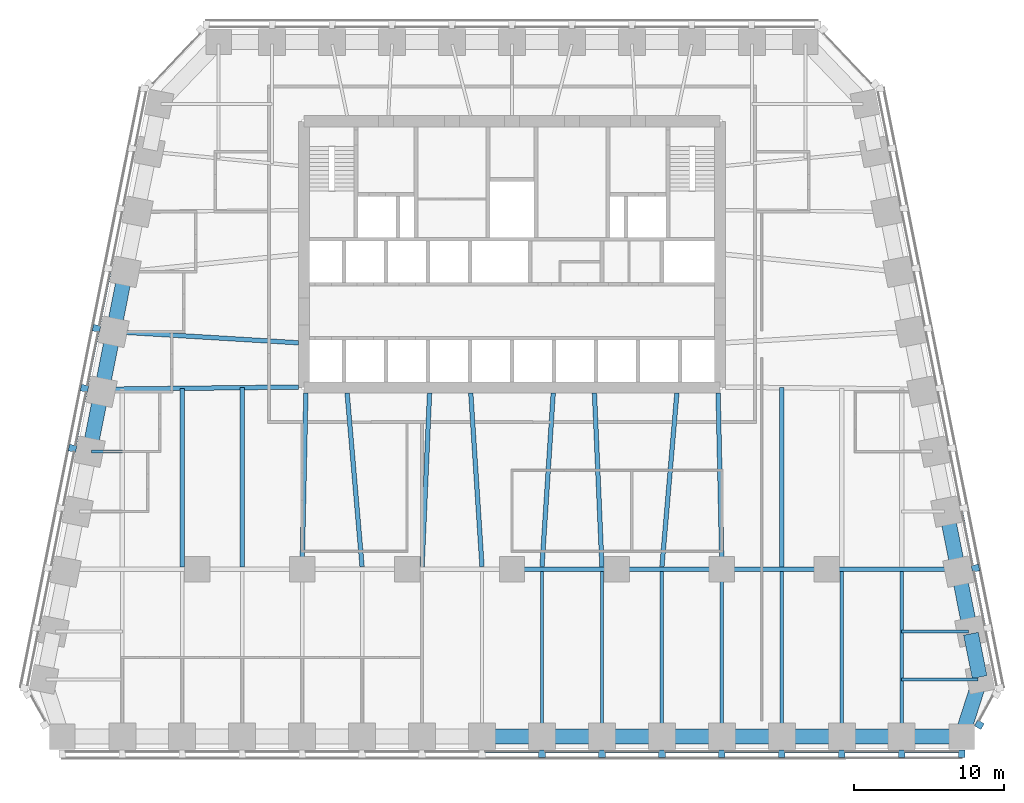
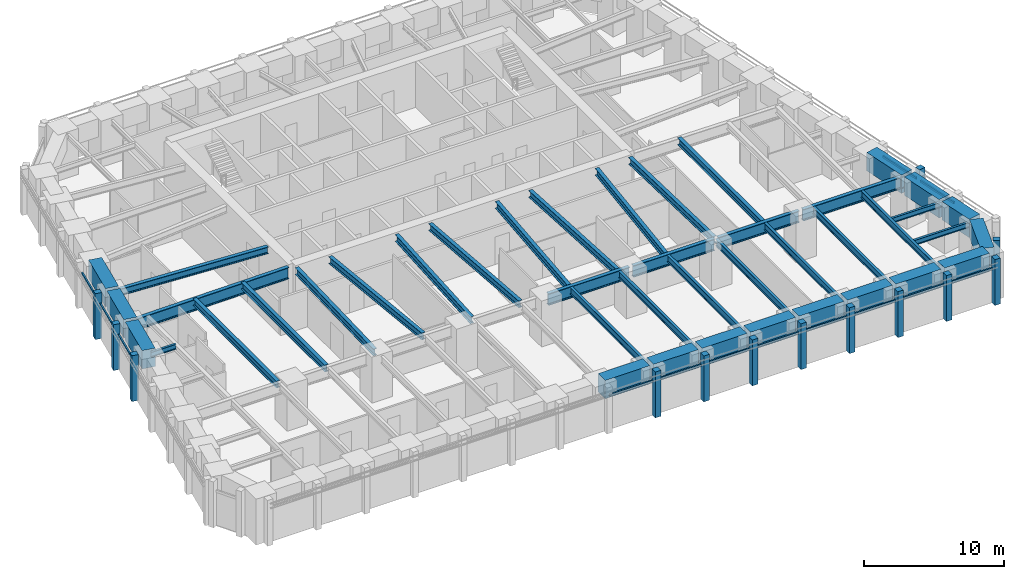
# One storey, part 2 of 10: 42 beams, 26 members, 4 elements without a shape of their own.
"""IFC4 building model written with IfcOpenShell, lengths in metres."""

import ifcopenshell
import ifcopenshell.guid

model = None  # the IFC model being written
_history = None  # IfcOwnerHistory: only IFC2X3 demands one
_inside = {}  # id of a spatial element -> (the spatial element, [elements in it])
_under = {}  # id of a project, library or spatial element -> (it, [spatial elements below it])
_declared = {}  # id of a project -> (the project, [libraries it declares])
_typed = {}  # id of a type object -> (the type object, [elements of that type])
_made_of = {}  # id of a material, layer set ... -> (it, [elements and type objects made of it])


def new_model(schema):
    """Start an empty IFC model of exactly this schema.

    Asked for "IFC4X3", IfcOpenShell would pick the latest addendum, in which some entities
    have other attributes; the version numbers below select the first issue.
    IFC2X3 requires an IfcOwnerHistory on every rooted entity: one is made here for all.
    """
    global model, _history
    if schema == "IFC4X3":
        model = ifcopenshell.file(schema_version=(4, 3, 0, 0))
    else:
        model = ifcopenshell.file(schema=schema)
    _inside.clear()
    _under.clear()
    _declared.clear()
    _typed.clear()
    _made_of.clear()
    _history = None
    if model.schema == "IFC2X3":
        org = make("IfcOrganization", Name="unknown")
        user = make(
            "IfcPersonAndOrganization",
            ThePerson=make("IfcPerson", FamilyName="unknown"),
            TheOrganization=org,
        )
        app = make(
            "IfcApplication",
            ApplicationDeveloper=org,
            Version="unknown",
            ApplicationFullName="unknown",
            ApplicationIdentifier="unknown",
        )
        _history = make(
            "IfcOwnerHistory",
            OwningUser=user,
            OwningApplication=app,
            ChangeAction="ADDED",
            CreationDate=0,
        )
    return model


def make(cls, **values):
    """One entity of the class cls with the attributes given. An attribute that is None is left unset."""
    return model.create_entity(
        cls, **{name: value for name, value in values.items() if value is not None}
    )


def rooted(cls, **values):
    """An entity with a GlobalId (a new one), such as an element, a storey or a relation."""
    return make(cls, GlobalId=ifcopenshell.guid.new(), OwnerHistory=_history, **values)


def si_unit(unit_type, name, prefix=None):
    """IfcSIUnit, for example si_unit("LENGTHUNIT", "METRE", prefix="MILLI")."""
    return make("IfcSIUnit", UnitType=unit_type, Prefix=prefix, Name=name)


def assignment(units):
    """IfcUnitAssignment: the units of a project."""
    return None if units is None else make("IfcUnitAssignment", Units=units)


def point(xyz):
    """IfcCartesianPoint."""
    return None if xyz is None else make("IfcCartesianPoint", Coordinates=xyz)


def direction(xyz):
    """IfcDirection."""
    return None if xyz is None else make("IfcDirection", DirectionRatios=xyz)


def frame(location, z_axis=None, x_axis=None):
    """IfcAxis2Placement3D, a coordinate frame: its origin and axes. An axis left out is left unset."""
    return make(
        "IfcAxis2Placement3D",
        Location=point(location),
        Axis=direction(z_axis),
        RefDirection=direction(x_axis),
    )


def frame_2d(location, x_axis=None):
    """IfcAxis2Placement2D, a coordinate frame in the plane: its origin and x axis."""
    return make(
        "IfcAxis2Placement2D", Location=point(location), RefDirection=direction(x_axis)
    )


def origin():
    """The frame at (0, 0, 0) with its axes left unset."""
    return frame((0.0, 0.0, 0.0))


def origin_2d():
    """The frame at (0, 0) in the plane with its x axis left unset."""
    return frame_2d((0.0, 0.0))


def place(relative_to, where):
    """IfcLocalPlacement: puts the frame where relative to a parent placement (None: the world)."""
    return make(
        "IfcLocalPlacement", PlacementRelTo=relative_to, RelativePlacement=where
    )


def context(
    kind, dimensions, precision=None, world=None, true_north=None, identifier=None
):
    """IfcGeometricRepresentationContext, for example the 3D "Model" context."""
    return make(
        "IfcGeometricRepresentationContext",
        ContextIdentifier=identifier,
        ContextType=kind,
        CoordinateSpaceDimension=dimensions,
        Precision=precision,
        WorldCoordinateSystem=world,
        TrueNorth=true_north,
    )


def subcontext(parent, identifier, kind, view, scale=None):
    """IfcGeometricRepresentationSubContext, for example "Body" below "Model"."""
    return make(
        "IfcGeometricRepresentationSubContext",
        ContextIdentifier=identifier,
        ContextType=kind,
        ParentContext=parent,
        TargetScale=scale,
        TargetView=view,
    )


def project(units=None, contexts=None):
    """IfcProject with its units and contexts."""
    return rooted(
        "IfcProject",
        Name="project",
        RepresentationContexts=contexts,
        UnitsInContext=assignment(units),
    )


def spatial(cls, under=None, at=None, **own):
    """A site, building, storey or space (cls), placed at a placement, below another one or the project."""
    s = rooted(cls, ObjectPlacement=at, **own)
    if under is not None:
        _under.setdefault(under.id(), (under, []))[1].append(s)
    return s


def profile(cls, at=None, kind="AREA", **sizes):
    """A parametric profile (cls). Its sizes go by their IFC names, for example OverallWidth=200.0."""
    return make(cls, ProfileType=kind, Position=at, **sizes)


def rectangle(**sizes):
    """IfcRectangleProfileDef."""
    return profile("IfcRectangleProfileDef", **sizes)


def i_section(**sizes):
    """IfcIShapeProfileDef."""
    return profile("IfcIShapeProfileDef", **sizes)


def extrude(swept, where, along, depth):
    """IfcExtrudedAreaSolid: the profile swept, set in the frame where, extruded along a direction by depth."""
    return make(
        "IfcExtrudedAreaSolid",
        SweptArea=swept,
        Position=where,
        ExtrudedDirection=direction(along),
        Depth=depth,
    )


def shape(context_of_items, identifier, shape_type, items):
    """IfcShapeRepresentation: the items that make up one representation, for example the "Body"."""
    return make(
        "IfcShapeRepresentation",
        ContextOfItems=context_of_items,
        RepresentationIdentifier=identifier,
        RepresentationType=shape_type,
        Items=items,
    )


def material(Name=None, Category=None):
    """IfcMaterial."""
    return make("IfcMaterial", Name=Name, Category=Category)


def material_profile(
    of_material, cross_section, Name=None, Category=None, Priority=None
):
    """IfcMaterialProfile: a cross section and its material."""
    return make(
        "IfcMaterialProfile",
        Name=Name,
        Material=of_material,
        Profile=cross_section,
        Priority=Priority,
        Category=Category,
    )


def profile_set(profiles, Name=None, composite=None):
    """IfcMaterialProfileSet."""
    return make(
        "IfcMaterialProfileSet",
        Name=Name,
        MaterialProfiles=profiles,
        CompositeProfile=composite,
    )


def made_of(thing, what):
    """Note that an element or type object is made of a material, layer set ...; save() writes the relation."""
    if what is not None:
        _made_of.setdefault(what.id(), (what, []))[1].append(thing)
    return thing


def type_object(cls, material=None, **own):
    """A type object (cls), such as IfcWallType, which elements share."""
    return made_of(rooted(cls, **own), material)


def element(
    cls,
    number,
    at=None,
    inside=None,
    cuts=None,
    type_object=None,
    material=None,
    context=None,
    identifier="Body",
    shape_type=None,
    held_by="IfcProductDefinitionShape",
    body=None,
    shapes=None,
    **own,
):
    """One element of the class cls, such as IfcWall. Its Tag is "e" and its number.

    at: its placement. inside: the storey or other place that contains it. cuts: it is an
    opening in that element (IfcRelVoidsElement). A single representation is given by context,
    identifier, shape_type and body (its items); several are given by shapes. held_by: the class
    of the entity that holds the representations. save() writes the other relations.
    """
    e = rooted(cls, Tag="e%d" % number, ObjectPlacement=at, **own)
    if body is not None:
        shapes = [shape(context, identifier, shape_type, body)]
    if shapes is not None:
        e.Representation = make(held_by, Representations=shapes)
    if inside is not None:
        _inside.setdefault(inside.id(), (inside, []))[1].append(e)
    if cuts is not None:
        rooted(
            "IfcRelVoidsElement", RelatingBuildingElement=cuts, RelatedOpeningElement=e
        )
    if type_object is not None:
        _typed.setdefault(type_object.id(), (type_object, []))[1].append(e)
    return made_of(e, material)


def aggregate(whole, parts):
    """IfcRelAggregates: a whole, such as a stair, and the parts it consists of."""
    return rooted("IfcRelAggregates", RelatingObject=whole, RelatedObjects=parts)


def save(model, path):
    """Write the relations noted so far, then the file.

    IfcRelAggregates (storeys below a building ...), IfcRelContainedInSpatialStructure (elements
    in a storey), IfcRelDefinesByType, IfcRelAssociatesMaterial and IfcRelDeclares: one each for
    every whole, place, type object, material and project.
    """
    for whole, parts in _under.values():
        aggregate(whole, parts)
    for where, things in _inside.values():
        rooted(
            "IfcRelContainedInSpatialStructure",
            RelatedElements=things,
            RelatingStructure=where,
        )
    for kind, things in _typed.values():
        rooted("IfcRelDefinesByType", RelatedObjects=things, RelatingType=kind)
    for what, things in _made_of.values():
        rooted("IfcRelAssociatesMaterial", RelatedObjects=things, RelatingMaterial=what)
    for by, libraries in _declared.values():
        rooted("IfcRelDeclares", RelatingContext=by, RelatedDefinitions=libraries)
    model.write(path)


model = new_model("IFC4")

# Units and contexts
model_context = context("Model", 3, precision=1e-05, world=origin(), true_north=direction((0.0, 1.0)))
body_context = subcontext(model_context, "Body", "Model", "MODEL_VIEW")
ifc_project = project(units=[si_unit("LENGTHUNIT", "METRE"), si_unit("AREAUNIT", "SQUARE_METRE"), si_unit("VOLUMEUNIT", "CUBIC_METRE"), si_unit("PLANEANGLEUNIT", "RADIAN"), si_unit("MASSUNIT", "GRAM", prefix="KILO")], contexts=[model_context])

# Site, building, storey
site_placement = place(None, origin())
site = spatial("IfcSite", under=ifc_project, at=site_placement, CompositionType="ELEMENT")
building_placement = place(site_placement, origin())
building = spatial("IfcBuilding", under=site, at=building_placement, Name="Isbrekke Arena Tower", CompositionType="ELEMENT")
storey_placement = place(building_placement, frame((0.0, 0.0, 107.0)))
storey = spatial("IfcBuildingStorey", under=building, at=storey_placement, Name="L23", CompositionType="ELEMENT", Elevation=107.0)

# Beams
ifc_material_1 = material(Name="Steel S355", Category="steel")
ifc_material_profile_1 = material_profile(ifc_material_1, i_section(OverallWidth=0.219970703125, OverallDepth=0.60009765625, WebThickness=0.011962890625, FlangeThickness=0.01904296875, FilletRadius=0.02392578125, at=origin_2d()), Name="IPE 600")
ifc_profile_set_1 = profile_set([ifc_material_profile_1], Name="Steel S355")
beam_type_1 = type_object("IfcBeamType", Name="B1 IPE 600", PredefinedType="BEAM", material=ifc_profile_set_1)
for number, where, z_axis, x_axis, name in (
    (1, (2.0, -17.02490234375, 3.550048828125), (0.0, 1.0, 0.0), (-1.0, 0.0, 0.0), "B1 beam S-S09 L23"),
    (2, (6.0, -17.02490234375, 3.550048828125), (0.0, 1.0, 0.0), (-1.0, 0.0, 0.0), "B1 beam S-S10 L23"),
    (3, (10.0, -17.02490234375, 3.550048828125), (0.0, 1.0, 0.0), (-1.0, 0.0, 0.0), "B1 beam S-S11 L23"),
):
    element("IfcBeam", number, at=place(storey_placement, frame(where, z_axis=z_axis, x_axis=x_axis)), inside=storey, type_object=beam_type_1, Name=name, PredefinedType="BEAM", context=body_context, shape_type="SweptSolid", body=[
        extrude(i_section(OverallWidth=0.219970703125, OverallDepth=0.60009765625, WebThickness=0.011962890625, FlangeThickness=0.01904296875, FilletRadius=0.02392578125, at=origin_2d()), origin(), (0.0, 0.0, 1.0), 10.8740234375),
    ])
beam_1_placement = place(storey_placement, frame((14.0, -17.02490234375, 3.550048828125), z_axis=(0.0, 1.0, 0.0), x_axis=(-1.0, 0.0, 0.0)))
element("IfcBeam", 4, at=beam_1_placement, inside=storey, type_object=beam_type_1, Name="B1 beam S-S12 L23", PredefinedType="BEAM", context=body_context, shape_type="SweptSolid", body=[
    extrude(i_section(OverallWidth=0.219970703125, OverallDepth=0.60009765625, WebThickness=0.011962890625, FlangeThickness=0.01904296875, FilletRadius=0.02392578125, at=origin_2d()), origin(), (0.0, 0.0, 1.0), 10.875),
])
for number, where, z_axis, x_axis, name in (
    (5, (18.0, -17.02490234375, 3.550048828125), (0.0, 1.0, 0.0), (-1.0, 0.0, 0.0), "B1 beam S-S13 L23"),
    (6, (22.0, -17.02490234375, 3.550048828125), (0.0, 1.0, 0.0), (-1.0, 0.0, 0.0), "B1 beam S-S14 L23"),
    (7, (26.0, -17.02490234375, 3.550048828125), (0.0, 1.0, 0.0), (-1.0, 0.0, 0.0), "B1 beam S-S15 L23"),
):
    element("IfcBeam", number, at=place(storey_placement, frame(where, z_axis=z_axis, x_axis=x_axis)), inside=storey, type_object=beam_type_1, Name=name, PredefinedType="BEAM", context=body_context, shape_type="SweptSolid", body=[
        extrude(i_section(OverallWidth=0.219970703125, OverallDepth=0.60009765625, WebThickness=0.011962890625, FlangeThickness=0.01904296875, FilletRadius=0.02392578125, at=origin_2d()), origin(), (0.0, 0.0, 1.0), 10.8740234375),
    ])
ifc_material_2 = material(Name="Steel S355", Category="steel")
ifc_material_profile_2 = material_profile(ifc_material_2, i_section(OverallWidth=0.18994140625, OverallDepth=0.449951171875, WebThickness=0.009521484375, FlangeThickness=0.0146484375, FilletRadius=0.02099609375, at=origin_2d()), Name="IPE 450")
ifc_profile_set_2 = profile_set([ifc_material_profile_2], Name="Steel S355")
beam_type_2 = type_object("IfcBeamType", Name="B2 IPE 450", PredefinedType="BEAM", material=ifc_profile_set_2)
beam_2_placement = place(storey_placement, frame((31.079345703125, -13.352783203125, 3.625), z_axis=(-1.0, 0.0, 0.0), x_axis=(0.0, -1.0, 0.0)))
element("IfcBeam", 8, at=beam_2_placement, inside=storey, type_object=beam_type_2, Name="B2 beam E-E01 L23", PredefinedType="BEAM", context=body_context, shape_type="SweptSolid", body=[
    extrude(i_section(OverallWidth=0.18994140625, OverallDepth=0.449951171875, WebThickness=0.009521484375, FlangeThickness=0.0146484375, FilletRadius=0.02099609375, at=origin_2d()), origin(), (0.0, 0.0, 1.0), 5.079345703125),
])
beam_3_placement = place(storey_placement, frame((30.44091796875, -10.161865234375, 3.625), z_axis=(-1.0, 0.0, 0.0), x_axis=(0.0, -1.0, 0.0)))
element("IfcBeam", 9, at=beam_3_placement, inside=storey, type_object=beam_type_2, Name="B2 beam E-E02 L23", PredefinedType="BEAM", context=body_context, shape_type="SweptSolid", body=[
    extrude(i_section(OverallWidth=0.18994140625, OverallDepth=0.449951171875, WebThickness=0.009521484375, FlangeThickness=0.0146484375, FilletRadius=0.02099609375, at=origin_2d()), origin(), (0.0, 0.0, 1.0), 4.44091796875),
])
beam_4_placement = place(storey_placement, frame((-28.041015625, 1.838134765625, 3.625), z_axis=(1.0, 0.0, 0.0), x_axis=(0.0, 1.0, 0.0)))
element("IfcBeam", 10, at=beam_4_placement, inside=storey, type_object=beam_type_2, Name="B2 beam E-W07 L23", PredefinedType="BEAM", context=body_context, shape_type="SweptSolid", body=[
    extrude(i_section(OverallWidth=0.18994140625, OverallDepth=0.449951171875, WebThickness=0.009521484375, FlangeThickness=0.0146484375, FilletRadius=0.02099609375, at=origin_2d()), origin(), (0.0, 0.0, 1.0), 2.041015625),
])
ifc_material_3 = material(Name="Steel S355", Category="steel")
ifc_material_profile_3 = material_profile(ifc_material_3, i_section(OverallWidth=0.300048828125, OverallDepth=0.60009765625, WebThickness=0.015380859375, FlangeThickness=0.030029296875, FilletRadius=0.027099609375, at=origin_2d()), Name="HEB 600")
ifc_profile_set_3 = profile_set([ifc_material_profile_3], Name="Steel S355")
beam_type_3 = type_object("IfcBeamType", Name="B7 HEB 600", PredefinedType="BEAM", material=ifc_profile_set_3)
beam_5_placement = place(storey_placement, frame((-22.0, -5.84912109375, 3.550048828125), z_axis=(0.0, 1.0, 0.0), x_axis=(-1.0, 0.0, 0.0)))
element("IfcBeam", 11, at=beam_5_placement, inside=storey, type_object=beam_type_3, Name="B7 beam C-M02 L23", PredefinedType="BEAM", context=body_context, shape_type="SweptSolid", body=[
    extrude(i_section(OverallWidth=0.300048828125, OverallDepth=0.60009765625, WebThickness=0.015380859375, FlangeThickness=0.030029296875, FilletRadius=0.027099609375, at=origin_2d()), origin(), (0.0, 0.0, 1.0), 11.91064453125),
])
beam_6_placement = place(storey_placement, frame((-18.0, -5.84912109375, 3.550048828125), z_axis=(0.0, 1.0, 0.0), x_axis=(-1.0, 0.0, 0.0)))
element("IfcBeam", 12, at=beam_6_placement, inside=storey, type_object=beam_type_3, Name="B7 beam C-M03 L23", PredefinedType="BEAM", context=body_context, shape_type="SweptSolid", body=[
    extrude(i_section(OverallWidth=0.300048828125, OverallDepth=0.60009765625, WebThickness=0.015380859375, FlangeThickness=0.030029296875, FilletRadius=0.027099609375, at=origin_2d()), origin(), (0.0, 0.0, 1.0), 11.956298828125),
])
beam_7_placement = place(storey_placement, frame((-14.0, -5.8466796875, 3.550048828125), z_axis=(0.021552887044, 0.999767709551, 0.0), x_axis=(-0.999767709551, 0.021552887044, 0.0)))
element("IfcBeam", 13, at=beam_7_placement, inside=storey, type_object=beam_type_3, Name="B7 beam C-M04 L23", PredefinedType="BEAM", context=body_context, shape_type="SweptSolid", body=[
    extrude(i_section(OverallWidth=0.300048828125, OverallDepth=0.60009765625, WebThickness=0.015380859375, FlangeThickness=0.030029296875, FilletRadius=0.027099609375, at=origin_2d()), origin(), (0.0, 0.0, 1.0), 11.599365234375),
])
beam_8_placement = place(storey_placement, frame((-10.001220703125, -5.836181640625, 3.550048828125), z_axis=(-0.085885827104, 0.996304985786, 0.0), x_axis=(-0.996304985786, -0.085885827104, 0.0)))
element("IfcBeam", 14, at=beam_8_placement, inside=storey, type_object=beam_type_3, Name="B7 beam C-M05 L23", PredefinedType="BEAM", context=body_context, shape_type="SweptSolid", body=[
    extrude(i_section(OverallWidth=0.300048828125, OverallDepth=0.60009765625, WebThickness=0.015380859375, FlangeThickness=0.030029296875, FilletRadius=0.027099609375, at=origin_2d()), origin(), (0.0, 0.0, 1.0), 11.629150390625),
])
beam_9_placement = place(storey_placement, frame((-5.999755859375, -5.842529296875, 3.550048828125), z_axis=(0.043070161667, 0.999072050041, 0.0), x_axis=(-0.999072050041, 0.043070161667, 0.0)))
element("IfcBeam", 15, at=beam_9_placement, inside=storey, type_object=beam_type_3, Name="B7 beam C-M06 L23", PredefinedType="BEAM", context=body_context, shape_type="SweptSolid", body=[
    extrude(i_section(OverallWidth=0.300048828125, OverallDepth=0.60009765625, WebThickness=0.015380859375, FlangeThickness=0.030029296875, FilletRadius=0.027099609375, at=origin_2d()), origin(), (0.0, 0.0, 1.0), 11.603271484375),
])
for number, where, z_axis, x_axis, name in (
    (16, (-2.000732421875, -5.83935546875, 3.550048828125), (-0.064516666031, 0.997916629686, 0.0), (-0.997916629686, -0.064516666031, 0.0), "B7 beam C-M07 L23"),
    (17, (2.000732421875, -5.83935546875, 3.550048828125), (0.064516666031, 0.997916629686, 0.0), (-0.997916629686, 0.064516666031, 0.0), "B7 beam C-M08 L23"),
):
    element("IfcBeam", number, at=place(storey_placement, frame(where, z_axis=z_axis, x_axis=x_axis)), inside=storey, type_object=beam_type_3, Name=name, PredefinedType="BEAM", context=body_context, shape_type="SweptSolid", body=[
        extrude(i_section(OverallWidth=0.300048828125, OverallDepth=0.60009765625, WebThickness=0.015380859375, FlangeThickness=0.030029296875, FilletRadius=0.027099609375, at=origin_2d()), origin(), (0.0, 0.0, 1.0), 11.613525390625),
    ])
beam_10_placement = place(storey_placement, frame((5.999755859375, -5.842529296875, 3.550048828125), z_axis=(-0.043070161667, 0.999072050041, 0.0), x_axis=(-0.999072050041, -0.043070161667, 0.0)))
element("IfcBeam", 18, at=beam_10_placement, inside=storey, type_object=beam_type_3, Name="B7 beam C-M09 L23", PredefinedType="BEAM", context=body_context, shape_type="SweptSolid", body=[
    extrude(i_section(OverallWidth=0.300048828125, OverallDepth=0.60009765625, WebThickness=0.015380859375, FlangeThickness=0.030029296875, FilletRadius=0.027099609375, at=origin_2d()), origin(), (0.0, 0.0, 1.0), 11.603271484375),
])
beam_11_placement = place(storey_placement, frame((10.001220703125, -5.836181640625, 3.550048828125), z_axis=(0.085885827104, 0.996304985786, 0.0), x_axis=(-0.996304985786, 0.085885827104, 0.0)))
element("IfcBeam", 19, at=beam_11_placement, inside=storey, type_object=beam_type_3, Name="B7 beam C-M10 L23", PredefinedType="BEAM", context=body_context, shape_type="SweptSolid", body=[
    extrude(i_section(OverallWidth=0.300048828125, OverallDepth=0.60009765625, WebThickness=0.015380859375, FlangeThickness=0.030029296875, FilletRadius=0.027099609375, at=origin_2d()), origin(), (0.0, 0.0, 1.0), 11.629150390625),
])
beam_12_placement = place(storey_placement, frame((14.0, -5.8466796875, 3.550048828125), z_axis=(-0.021552887044, 0.999767709551, 0.0), x_axis=(-0.999767709551, -0.021552887044, 0.0)))
element("IfcBeam", 20, at=beam_12_placement, inside=storey, type_object=beam_type_3, Name="B7 beam C-M11 L23", PredefinedType="BEAM", context=body_context, shape_type="SweptSolid", body=[
    extrude(i_section(OverallWidth=0.300048828125, OverallDepth=0.60009765625, WebThickness=0.015380859375, FlangeThickness=0.030029296875, FilletRadius=0.027099609375, at=origin_2d()), origin(), (0.0, 0.0, 1.0), 11.599365234375),
])
beam_13_placement = place(storey_placement, frame((18.0, -5.84912109375, 3.550048828125), z_axis=(0.0, 1.0, 0.0), x_axis=(-1.0, 0.0, 0.0)))
element("IfcBeam", 21, at=beam_13_placement, inside=storey, type_object=beam_type_3, Name="B7 beam C-M12 L23", PredefinedType="BEAM", context=body_context, shape_type="SweptSolid", body=[
    extrude(i_section(OverallWidth=0.300048828125, OverallDepth=0.60009765625, WebThickness=0.015380859375, FlangeThickness=0.030029296875, FilletRadius=0.027099609375, at=origin_2d()), origin(), (0.0, 0.0, 1.0), 11.956298828125),
])
beam_14_placement = place(storey_placement, frame((-26.431884765625, 9.837646484375, 3.550048828125), z_axis=(0.998172191876, -0.060434057993, 0.0), x_axis=(0.060434057993, 0.998172191876, 0.0)))
element("IfcBeam", 22, at=beam_14_placement, inside=storey, type_object=beam_type_3, Name="B7 beam E-W05 L23", PredefinedType="BEAM", context=body_context, shape_type="SweptSolid", body=[
    extrude(i_section(OverallWidth=0.300048828125, OverallDepth=0.60009765625, WebThickness=0.015380859375, FlangeThickness=0.030029296875, FilletRadius=0.027099609375, at=origin_2d()), origin(), (0.0, 0.0, 1.0), 12.2041015625),
])

# Curtain wall, members
ifc_material_4 = material(Name="Glazed aluminium curtain wall", Category="aluminium")
curtain_wall_type = type_object("IfcCurtainWallType", Name="CWM TOWER CURTAIN WALL MID ZONE", PredefinedType="USERDEFINED", material=ifc_material_4)
curtain_wall_1_placement = place(storey_placement, origin())
curtain_wall_1 = element("IfcCurtainWall", 23, at=curtain_wall_1_placement, inside=storey, type_object=curtain_wall_type, Name="CWM curtain wall L23-S", ObjectType="TOWER CURTAIN WALL MID ZONE", PredefinedType="USERDEFINED")
ifc_material_5 = material(Name="Aluminium mullion, pale brick slip cladding", Category="masonry")
ifc_material_profile_4 = material_profile(ifc_material_5, rectangle(XDim=0.449951171875, YDim=0.5, at=origin_2d()), Name="PIER 450X500")
ifc_profile_set_4 = profile_set([ifc_material_profile_4], Name="Aluminium mullion, pale brick slip cladding")
member_type_1 = type_object("IfcMemberType", Name="CWM-M PIER MULLION 450 x 500", PredefinedType="MULLION", material=ifc_profile_set_4)
member_1_placement = place(storey_placement, frame((2.0, -18.324951171875, 0.0), z_axis=(0.0, 0.0, 1.0), x_axis=(1.0, 0.0, 0.0)))
member_1 = element("IfcMember", 24, at=member_1_placement, type_object=member_type_1, Name="CWM-M mullion 9", PredefinedType="MULLION", context=body_context, shape_type="SweptSolid", body=[
    extrude(rectangle(XDim=0.449951171875, YDim=0.5, at=origin_2d()), origin(), (0.0, 0.0, 1.0), 4.0),
])
member_2_placement = place(storey_placement, frame((6.0, -18.324951171875, 0.0), z_axis=(0.0, 0.0, 1.0), x_axis=(1.0, 0.0, 0.0)))
member_2 = element("IfcMember", 25, at=member_2_placement, type_object=member_type_1, Name="CWM-M mullion 10", PredefinedType="MULLION", context=body_context, shape_type="SweptSolid", body=[
    extrude(rectangle(XDim=0.449951171875, YDim=0.5, at=origin_2d()), origin(), (0.0, 0.0, 1.0), 4.0),
])
member_3_placement = place(storey_placement, frame((10.0, -18.324951171875, 0.0), z_axis=(0.0, 0.0, 1.0), x_axis=(1.0, 0.0, 0.0)))
member_3 = element("IfcMember", 26, at=member_3_placement, type_object=member_type_1, Name="CWM-M mullion 11", PredefinedType="MULLION", context=body_context, shape_type="SweptSolid", body=[
    extrude(rectangle(XDim=0.449951171875, YDim=0.5, at=origin_2d()), origin(), (0.0, 0.0, 1.0), 4.0),
])
member_4_placement = place(storey_placement, frame((14.0, -18.324951171875, 0.0), z_axis=(0.0, 0.0, 1.0), x_axis=(1.0, 0.0, 0.0)))
member_4 = element("IfcMember", 27, at=member_4_placement, type_object=member_type_1, Name="CWM-M mullion 12", PredefinedType="MULLION", context=body_context, shape_type="SweptSolid", body=[
    extrude(rectangle(XDim=0.449951171875, YDim=0.5, at=origin_2d()), origin(), (0.0, 0.0, 1.0), 4.0),
])
member_5_placement = place(storey_placement, frame((18.0, -18.324951171875, 0.0), z_axis=(0.0, 0.0, 1.0), x_axis=(1.0, 0.0, 0.0)))
member_5 = element("IfcMember", 28, at=member_5_placement, type_object=member_type_1, Name="CWM-M mullion 13", PredefinedType="MULLION", context=body_context, shape_type="SweptSolid", body=[
    extrude(rectangle(XDim=0.449951171875, YDim=0.5, at=origin_2d()), origin(), (0.0, 0.0, 1.0), 4.0),
])
member_6_placement = place(storey_placement, frame((22.0, -18.324951171875, 0.0), z_axis=(0.0, 0.0, 1.0), x_axis=(1.0, 0.0, 0.0)))
member_6 = element("IfcMember", 29, at=member_6_placement, type_object=member_type_1, Name="CWM-M mullion 14", PredefinedType="MULLION", context=body_context, shape_type="SweptSolid", body=[
    extrude(rectangle(XDim=0.449951171875, YDim=0.5, at=origin_2d()), origin(), (0.0, 0.0, 1.0), 4.0),
])
member_7_placement = place(storey_placement, frame((26.0, -18.324951171875, 0.0), z_axis=(0.0, 0.0, 1.0), x_axis=(1.0, 0.0, 0.0)))
member_7 = element("IfcMember", 30, at=member_7_placement, type_object=member_type_1, Name="CWM-M mullion 15", PredefinedType="MULLION", context=body_context, shape_type="SweptSolid", body=[
    extrude(rectangle(XDim=0.449951171875, YDim=0.5, at=origin_2d()), origin(), (0.0, 0.0, 1.0), 4.0),
])
member_8_placement = place(storey_placement, frame((30.0, -18.324951171875, 0.0), z_axis=(0.0, 0.0, 1.0), x_axis=(1.0, 0.0, 0.0)))
member_8 = element("IfcMember", 31, at=member_8_placement, type_object=member_type_1, Name="CWM-M mullion 16", PredefinedType="MULLION", context=body_context, shape_type="SweptSolid", body=[
    extrude(rectangle(XDim=0.449951171875, YDim=0.5, at=origin_2d()), origin(), (0.0, 0.0, 1.0), 4.0),
])

# Curtain wall, member
curtain_wall_2_placement = place(storey_placement, origin())
curtain_wall_2 = element("IfcCurtainWall", 32, at=curtain_wall_2_placement, inside=storey, type_object=curtain_wall_type, Name="CWM curtain wall L23-SE", ObjectType="TOWER CURTAIN WALL MID ZONE", PredefinedType="USERDEFINED")
member_9_placement = place(storey_placement, frame((31.17529296875, -16.382080078125, 0.0), z_axis=(0.0, 0.0, 1.0), x_axis=(0.481918749773, 0.876215908676, 0.0)))
member_9 = element("IfcMember", 33, at=member_9_placement, type_object=member_type_1, Name="CWM-M mullion 1", PredefinedType="MULLION", context=body_context, shape_type="SweptSolid", body=[
    extrude(rectangle(XDim=0.449951171875, YDim=0.5, at=origin_2d()), origin(), (0.0, 0.0, 1.0), 4.0),
])
aggregate(curtain_wall_2, [member_9])

curtain_wall_3_placement = place(storey_placement, origin())
curtain_wall_3 = element("IfcCurtainWall", 34, at=curtain_wall_3_placement, inside=storey, type_object=curtain_wall_type, Name="CWM curtain wall L23-E", ObjectType="TOWER CURTAIN WALL MID ZONE", PredefinedType="USERDEFINED")
member_10_placement = place(storey_placement, frame((30.918701171875, -5.936279296875, 0.0), z_axis=(0.0, 0.0, 1.0), x_axis=(-0.196116135138, 0.980580675691, 0.0)))
member_10 = element("IfcMember", 35, at=member_10_placement, type_object=member_type_1, Name="CWM-M mullion 3", PredefinedType="MULLION", context=body_context, shape_type="SweptSolid", body=[
    extrude(rectangle(XDim=0.449951171875, YDim=0.5, at=origin_2d()), origin(), (0.0, 0.0, 1.0), 4.0),
])

# Curtain wall, members
curtain_wall_4_placement = place(storey_placement, origin())
curtain_wall_4 = element("IfcCurtainWall", 36, at=curtain_wall_4_placement, inside=storey, type_object=curtain_wall_type, Name="CWM curtain wall L23-W", ObjectType="TOWER CURTAIN WALL MID ZONE", PredefinedType="USERDEFINED")
member_11_placement = place(storey_placement, frame((-27.71875, 10.063720703125, 0.0), z_axis=(0.0, 0.0, 1.0), x_axis=(-0.196116135138, -0.980580675691, 0.0)))
member_11 = element("IfcMember", 37, at=member_11_placement, type_object=member_type_1, Name="CWM-M mullion 5", PredefinedType="MULLION", context=body_context, shape_type="SweptSolid", body=[
    extrude(rectangle(XDim=0.449951171875, YDim=0.5, at=origin_2d()), origin(), (0.0, 0.0, 1.0), 4.0),
])
member_12_placement = place(storey_placement, frame((-28.518798828125, 6.063720703125, 0.0), z_axis=(0.0, 0.0, 1.0), x_axis=(-0.196116135138, -0.980580675691, 0.0)))
member_12 = element("IfcMember", 38, at=member_12_placement, type_object=member_type_1, Name="CWM-M mullion 6", PredefinedType="MULLION", context=body_context, shape_type="SweptSolid", body=[
    extrude(rectangle(XDim=0.449951171875, YDim=0.5, at=origin_2d()), origin(), (0.0, 0.0, 1.0), 4.0),
])
member_13_placement = place(storey_placement, frame((-29.318603515625, 2.063720703125, 0.0), z_axis=(0.0, 0.0, 1.0), x_axis=(-0.196116135138, -0.980580675691, 0.0)))
member_13 = element("IfcMember", 39, at=member_13_placement, type_object=member_type_1, Name="CWM-M mullion 7", PredefinedType="MULLION", context=body_context, shape_type="SweptSolid", body=[
    extrude(rectangle(XDim=0.449951171875, YDim=0.5, at=origin_2d()), origin(), (0.0, 0.0, 1.0), 4.0),
])

# Member
ifc_material_6 = material(Name="Aluminium transom", Category="aluminium")
ifc_material_profile_5 = material_profile(ifc_material_6, rectangle(XDim=0.1201171875, YDim=0.199951171875, at=origin_2d()), Name="TRANSOM 120X200")
ifc_profile_set_5 = profile_set([ifc_material_profile_5], Name="Aluminium transom")
member_type_2 = type_object("IfcMemberType", Name="CWM-T TRANSOM 120 x 200", PredefinedType="USERDEFINED", material=ifc_profile_set_5)
member_14_placement = place(storey_placement, frame((-1.77490234375, -18.175048828125, 3.0), z_axis=(1.0, 0.0, 0.0), x_axis=(0.0, 1.0, 0.0)))
member_14 = element("IfcMember", 40, at=member_14_placement, type_object=member_type_2, Name="CWM-T transom 8", ObjectType="TRANSOM", PredefinedType="USERDEFINED", context=body_context, shape_type="SweptSolid", body=[
    extrude(rectangle(XDim=0.1201171875, YDim=0.199951171875, at=origin_2d()), origin(), (0.0, 0.0, 1.0), 3.5498046875),
])

member_15_placement = place(storey_placement, frame((2.22509765625, -18.175048828125, 3.0), z_axis=(1.0, 0.0, 0.0), x_axis=(0.0, 1.0, 0.0)))
member_15 = element("IfcMember", 41, at=member_15_placement, type_object=member_type_2, Name="CWM-T transom 9", ObjectType="TRANSOM", PredefinedType="USERDEFINED", context=body_context, shape_type="SweptSolid", body=[
    extrude(rectangle(XDim=0.1201171875, YDim=0.199951171875, at=origin_2d()), origin(), (0.0, 0.0, 1.0), 3.5498046875),
])

member_16_placement = place(storey_placement, frame((6.22509765625, -18.175048828125, 3.0), z_axis=(1.0, 0.0, 0.0), x_axis=(0.0, 1.0, 0.0)))
member_16 = element("IfcMember", 42, at=member_16_placement, type_object=member_type_2, Name="CWM-T transom 10", ObjectType="TRANSOM", PredefinedType="USERDEFINED", context=body_context, shape_type="SweptSolid", body=[
    extrude(rectangle(XDim=0.1201171875, YDim=0.199951171875, at=origin_2d()), origin(), (0.0, 0.0, 1.0), 3.5498046875),
])

member_17_placement = place(storey_placement, frame((10.22509765625, -18.175048828125, 3.0), z_axis=(1.0, 0.0, 0.0), x_axis=(0.0, 1.0, 0.0)))
member_17 = element("IfcMember", 43, at=member_17_placement, type_object=member_type_2, Name="CWM-T transom 11", ObjectType="TRANSOM", PredefinedType="USERDEFINED", context=body_context, shape_type="SweptSolid", body=[
    extrude(rectangle(XDim=0.1201171875, YDim=0.199951171875, at=origin_2d()), origin(), (0.0, 0.0, 1.0), 3.5498046875),
])

member_18_placement = place(storey_placement, frame((14.22509765625, -18.175048828125, 3.0), z_axis=(1.0, 0.0, 0.0), x_axis=(0.0, 1.0, 0.0)))
member_18 = element("IfcMember", 44, at=member_18_placement, type_object=member_type_2, Name="CWM-T transom 12", ObjectType="TRANSOM", PredefinedType="USERDEFINED", context=body_context, shape_type="SweptSolid", body=[
    extrude(rectangle(XDim=0.1201171875, YDim=0.199951171875, at=origin_2d()), origin(), (0.0, 0.0, 1.0), 3.5498046875),
])

member_19_placement = place(storey_placement, frame((18.22509765625, -18.175048828125, 3.0), z_axis=(1.0, 0.0, 0.0), x_axis=(0.0, 1.0, 0.0)))
member_19 = element("IfcMember", 45, at=member_19_placement, type_object=member_type_2, Name="CWM-T transom 13", ObjectType="TRANSOM", PredefinedType="USERDEFINED", context=body_context, shape_type="SweptSolid", body=[
    extrude(rectangle(XDim=0.1201171875, YDim=0.199951171875, at=origin_2d()), origin(), (0.0, 0.0, 1.0), 3.5498046875),
])

member_20_placement = place(storey_placement, frame((22.22509765625, -18.175048828125, 3.0), z_axis=(1.0, 0.0, 0.0), x_axis=(0.0, 1.0, 0.0)))
member_20 = element("IfcMember", 46, at=member_20_placement, type_object=member_type_2, Name="CWM-T transom 14", ObjectType="TRANSOM", PredefinedType="USERDEFINED", context=body_context, shape_type="SweptSolid", body=[
    extrude(rectangle(XDim=0.1201171875, YDim=0.199951171875, at=origin_2d()), origin(), (0.0, 0.0, 1.0), 3.5498046875),
])

member_21_placement = place(storey_placement, frame((26.22509765625, -18.175048828125, 3.0), z_axis=(1.0, 0.0, 0.0), x_axis=(0.0, 1.0, 0.0)))
member_21 = element("IfcMember", 47, at=member_21_placement, type_object=member_type_2, Name="CWM-T transom 15", ObjectType="TRANSOM", PredefinedType="USERDEFINED", context=body_context, shape_type="SweptSolid", body=[
    extrude(rectangle(XDim=0.1201171875, YDim=0.199951171875, at=origin_2d()), origin(), (0.0, 0.0, 1.0), 3.5498046875),
])

aggregate(curtain_wall_1, [member_1, member_2, member_3, member_4, member_5, member_6, member_7, member_8, member_14, member_15, member_16, member_17, member_18, member_19, member_20, member_21])

member_22_placement = place(storey_placement, frame((31.527587890625, -9.7451171875, 3.0), z_axis=(-0.196154943734, 0.980572913173, 0.0), x_axis=(-0.980572913173, -0.196154943734, 0.0)))
member_22 = element("IfcMember", 48, at=member_22_placement, type_object=member_type_2, Name="CWM-T transom 2", ObjectType="TRANSOM", PredefinedType="USERDEFINED", context=body_context, shape_type="SweptSolid", body=[
    extrude(rectangle(XDim=0.1201171875, YDim=0.199951171875, at=origin_2d()), origin(), (0.0, 0.0, 1.0), 3.62939453125),
])

member_23_placement = place(storey_placement, frame((30.7275390625, -5.7451171875, 3.0), z_axis=(-0.196154943734, 0.980572913173, 0.0), x_axis=(-0.980572913173, -0.196154943734, 0.0)))
member_23 = element("IfcMember", 49, at=member_23_placement, type_object=member_type_2, Name="CWM-T transom 3", ObjectType="TRANSOM", PredefinedType="USERDEFINED", context=body_context, shape_type="SweptSolid", body=[
    extrude(rectangle(XDim=0.1201171875, YDim=0.199951171875, at=origin_2d()), origin(), (0.0, 0.0, 1.0), 3.62939453125),
])

aggregate(curtain_wall_3, [member_10, member_22, member_23])

member_24_placement = place(storey_placement, frame((-26.815673828125, 13.813720703125, 3.0), z_axis=(-0.196154943734, -0.980572913173, 0.0), x_axis=(0.980572913173, -0.196154943734, 0.0)))
member_24 = element("IfcMember", 50, at=member_24_placement, type_object=member_type_2, Name="CWM-T transom 4", ObjectType="TRANSOM", PredefinedType="USERDEFINED", context=body_context, shape_type="SweptSolid", body=[
    extrude(rectangle(XDim=0.1201171875, YDim=0.199951171875, at=origin_2d()), origin(), (0.0, 0.0, 1.0), 3.62939453125),
])

member_25_placement = place(storey_placement, frame((-27.61572265625, 9.813720703125, 3.0), z_axis=(-0.196090262229, -0.980585849918, 0.0), x_axis=(0.980585849918, -0.196090262229, 0.0)))
member_25 = element("IfcMember", 51, at=member_25_placement, type_object=member_type_2, Name="CWM-T transom 5", ObjectType="TRANSOM", PredefinedType="USERDEFINED", context=body_context, shape_type="SweptSolid", body=[
    extrude(rectangle(XDim=0.1201171875, YDim=0.199951171875, at=origin_2d()), origin(), (0.0, 0.0, 1.0), 3.62939453125),
])

member_26_placement = place(storey_placement, frame((-28.415771484375, 5.813720703125, 3.0), z_axis=(-0.196090262229, -0.980585849918, 0.0), x_axis=(0.980585849918, -0.196090262229, 0.0)))
member_26 = element("IfcMember", 52, at=member_26_placement, type_object=member_type_2, Name="CWM-T transom 6", ObjectType="TRANSOM", PredefinedType="USERDEFINED", context=body_context, shape_type="SweptSolid", body=[
    extrude(rectangle(XDim=0.1201171875, YDim=0.199951171875, at=origin_2d()), origin(), (0.0, 0.0, 1.0), 3.62939453125),
])

aggregate(curtain_wall_4, [member_11, member_12, member_13, member_24, member_25, member_26])

# Beams
ifc_material_7 = material(Name="Steel S355", Category="steel")
ifc_material_profile_6 = material_profile(ifc_material_7, i_section(OverallWidth=0.302001953125, OverallDepth=1.008056640625, WebThickness=0.02099609375, FlangeThickness=0.0400390625, FilletRadius=0.030029296875, at=origin_2d()), Name="HEM 1000")
ifc_profile_set_6 = profile_set([ifc_material_profile_6], Name="Steel S355")
beam_type_4 = type_object("IfcBeamType", Name="G1 HEM 1000", PredefinedType="BEAM", material=ifc_profile_set_6)
for number, where, z_axis, x_axis, name in (
    (53, (0.14990234375, -6.0, 3.345947265625), (1.0, 0.0, 0.0), (0.0, 1.0, 0.0), "G1 beam G1-05 L23"),
    (54, (7.14990234375, -6.0, 3.345947265625), (1.0, 0.0, 0.0), (0.0, 1.0, 0.0), "G1 beam G1-06 L23"),
    (55, (14.14990234375, -6.0, 3.345947265625), (1.0, 0.0, 0.0), (0.0, 1.0, 0.0), "G1 beam G1-07 L23"),
):
    element("IfcBeam", number, at=place(storey_placement, frame(where, z_axis=z_axis, x_axis=x_axis)), inside=storey, type_object=beam_type_4, Name=name, PredefinedType="BEAM", context=body_context, shape_type="SweptSolid", body=[
        extrude(i_section(OverallWidth=0.302001953125, OverallDepth=1.008056640625, WebThickness=0.02099609375, FlangeThickness=0.0400390625, FilletRadius=0.030029296875, at=origin_2d()), origin(), (0.0, 0.0, 1.0), 6.7001953125),
    ])
beam_15_placement = place(storey_placement, frame((21.14990234375, -6.0, 3.345947265625), z_axis=(1.0, 0.0, 0.0), x_axis=(0.0, 1.0, 0.0)))
element("IfcBeam", 56, at=beam_15_placement, inside=storey, type_object=beam_type_4, Name="G1 beam G1-08 L23", PredefinedType="BEAM", context=body_context, shape_type="SweptSolid", body=[
    extrude(i_section(OverallWidth=0.302001953125, OverallDepth=1.008056640625, WebThickness=0.02099609375, FlangeThickness=0.0400390625, FilletRadius=0.030029296875, at=origin_2d()), origin(), (0.0, 0.0, 1.0), 8.64111328125),
])
ifc_material_8 = material(Name="Steel S355", Category="steel")
ifc_material_profile_7 = material_profile(ifc_material_8, i_section(OverallWidth=0.302001953125, OverallDepth=1.008056640625, WebThickness=0.02099609375, FlangeThickness=0.0400390625, FilletRadius=0.030029296875, at=origin_2d()), Name="HEM 1000")
ifc_profile_set_7 = profile_set([ifc_material_profile_7], Name="Steel S355")
beam_type_5 = type_object("IfcBeamType", Name="G2 HEM 1000", PredefinedType="BEAM", material=ifc_profile_set_7)
beam_16_placement = place(storey_placement, frame((-14.25, 6.14990234375, 3.345947265625), z_axis=(-0.999934928157, -0.011407867963, 0.0), x_axis=(0.011407867963, -0.999934928157, 0.0)))
element("IfcBeam", 57, at=beam_16_placement, inside=storey, type_object=beam_type_5, Name="G2 beam G2-W L23", PredefinedType="BEAM", context=body_context, shape_type="SweptSolid", body=[
    extrude(i_section(OverallWidth=0.302001953125, OverallDepth=1.008056640625, WebThickness=0.02099609375, FlangeThickness=0.0400390625, FilletRadius=0.030029296875, at=origin_2d()), origin(), (0.0, 0.0, 1.0), 13.140380859375),
])
ifc_material_9 = material(Name="Concrete B80 (C80/95)", Category="concrete")
ifc_material_profile_8 = material_profile(ifc_material_9, rectangle(XDim=1.0, YDim=1.60009765625, at=origin_2d()), Name="RC 1000x1600")
ifc_profile_set_8 = profile_set([ifc_material_profile_8], Name="Concrete B80 (C80/95)")
beam_type_6 = type_object("IfcBeamType", Name="SB2 RC 1000 x 1600", PredefinedType="SPANDREL", material=ifc_profile_set_8)
for number, where, z_axis, x_axis, name in (
    (58, (-1.85009765625, -17.175048828125, 3.199951171875), (1.0, 0.0, 0.0), (0.0, 1.0, 0.0), "SB2 spandrel S08-S09 L23"),
    (59, (2.14990234375, -17.175048828125, 3.199951171875), (1.0, 0.0, 0.0), (0.0, 1.0, 0.0), "SB2 spandrel S09-S10 L23"),
    (60, (6.14990234375, -17.175048828125, 3.199951171875), (1.0, 0.0, 0.0), (0.0, 1.0, 0.0), "SB2 spandrel S10-S11 L23"),
    (61, (10.14990234375, -17.175048828125, 3.199951171875), (1.0, 0.0, 0.0), (0.0, 1.0, 0.0), "SB2 spandrel S11-S12 L23"),
    (62, (14.14990234375, -17.175048828125, 3.199951171875), (1.0, 0.0, 0.0), (0.0, 1.0, 0.0), "SB2 spandrel S12-S13 L23"),
    (63, (18.14990234375, -17.175048828125, 3.199951171875), (1.0, 0.0, 0.0), (0.0, 1.0, 0.0), "SB2 spandrel S13-S14 L23"),
    (64, (22.14990234375, -17.175048828125, 3.199951171875), (1.0, 0.0, 0.0), (0.0, 1.0, 0.0), "SB2 spandrel S14-S15 L23"),
    (65, (26.14990234375, -17.175048828125, 3.199951171875), (1.0, 0.0, 0.0), (0.0, 1.0, 0.0), "SB2 spandrel S15-S16 L23"),
):
    element("IfcBeam", number, at=place(storey_placement, frame(where, z_axis=z_axis, x_axis=x_axis)), inside=storey, type_object=beam_type_6, Name=name, PredefinedType="SPANDREL", context=body_context, shape_type="SweptSolid", body=[
        extrude(rectangle(XDim=1.0, YDim=1.60009765625, at=origin_2d()), origin(), (0.0, 0.0, 1.0), 3.7001953125),
    ])
beam_17_placement = place(storey_placement, frame((30.0458984375, -17.0322265625, 3.199951171875), z_axis=(0.306175101476, 0.951975213562, 0.0), x_axis=(-0.951975213562, 0.306175101476, 0.0)))
element("IfcBeam", 66, at=beam_17_placement, inside=storey, type_object=beam_type_6, Name="SB2 spandrel S16-E01 L23", PredefinedType="SPANDREL", context=body_context, shape_type="SweptSolid", body=[
    extrude(rectangle(XDim=1.0, YDim=1.60009765625, at=origin_2d()), origin(), (0.0, 0.0, 1.0), 3.715087890625),
])
beam_18_placement = place(storey_placement, frame((31.19970703125, -13.205810546875, 3.199951171875), z_axis=(-0.196100243168, 0.980583853951, 0.0), x_axis=(-0.980583853951, -0.196100243168, 0.0)))
element("IfcBeam", 67, at=beam_18_placement, inside=storey, type_object=beam_type_6, Name="SB2 spandrel E01-E02 L23", PredefinedType="SPANDREL", context=body_context, shape_type="SweptSolid", body=[
    extrude(rectangle(XDim=1.0, YDim=1.60009765625, at=origin_2d()), origin(), (0.0, 0.0, 1.0), 2.954345703125),
])
beam_19_placement = place(storey_placement, frame((30.5615234375, -10.0146484375, 3.199951171875), z_axis=(-0.1960664412, 0.980590613169, 0.0), x_axis=(-0.980590613169, -0.1960664412, 0.0)))
element("IfcBeam", 68, at=beam_19_placement, inside=storey, type_object=beam_type_6, Name="SB2 spandrel E02-E03 L23", PredefinedType="SPANDREL", context=body_context, shape_type="SweptSolid", body=[
    extrude(rectangle(XDim=1.0, YDim=1.60009765625, at=origin_2d()), origin(), (0.0, 0.0, 1.0), 3.779052734375),
])
beam_20_placement = place(storey_placement, frame((29.76171875, -6.0146484375, 3.199951171875), z_axis=(-0.196128558387, 0.980578190959, 0.0), x_axis=(-0.980578190959, -0.196128558387, 0.0)))
element("IfcBeam", 69, at=beam_20_placement, inside=storey, type_object=beam_type_6, Name="SB2 spandrel E03-E04 L23", PredefinedType="SPANDREL", context=body_context, shape_type="SweptSolid", body=[
    extrude(rectangle(XDim=1.0, YDim=1.60009765625, at=origin_2d()), origin(), (0.0, 0.0, 1.0), 3.779296875),
])
beam_21_placement = place(storey_placement, frame((-25.820556640625, 13.691162109375, 3.199951171875), z_axis=(-0.1960664412, -0.980590613169, 0.0), x_axis=(0.980590613169, -0.1960664412, 0.0)))
element("IfcBeam", 70, at=beam_21_placement, inside=storey, type_object=beam_type_6, Name="SB2 spandrel W04-W05 L23", PredefinedType="SPANDREL", context=body_context, shape_type="SweptSolid", body=[
    extrude(rectangle(XDim=1.0, YDim=1.60009765625, at=origin_2d()), origin(), (0.0, 0.0, 1.0), 3.779052734375),
])
for number, where, z_axis, x_axis, name in (
    (71, (-26.620361328125, 9.691162109375, 3.199951171875), (-0.196128558387, -0.980578190959, 0.0), (0.980578190959, -0.196128558387, 0.0), "SB2 spandrel W05-W06 L23"),
    (72, (-27.42041015625, 5.691162109375, 3.199951171875), (-0.196128558387, -0.980578190959, 0.0), (0.980578190959, -0.196128558387, 0.0), "SB2 spandrel W06-W07 L23"),
):
    element("IfcBeam", number, at=place(storey_placement, frame(where, z_axis=z_axis, x_axis=x_axis)), inside=storey, type_object=beam_type_6, Name=name, PredefinedType="SPANDREL", context=body_context, shape_type="SweptSolid", body=[
        extrude(rectangle(XDim=1.0, YDim=1.60009765625, at=origin_2d()), origin(), (0.0, 0.0, 1.0), 3.779296875),
    ])

save(model, "model.ifc")
